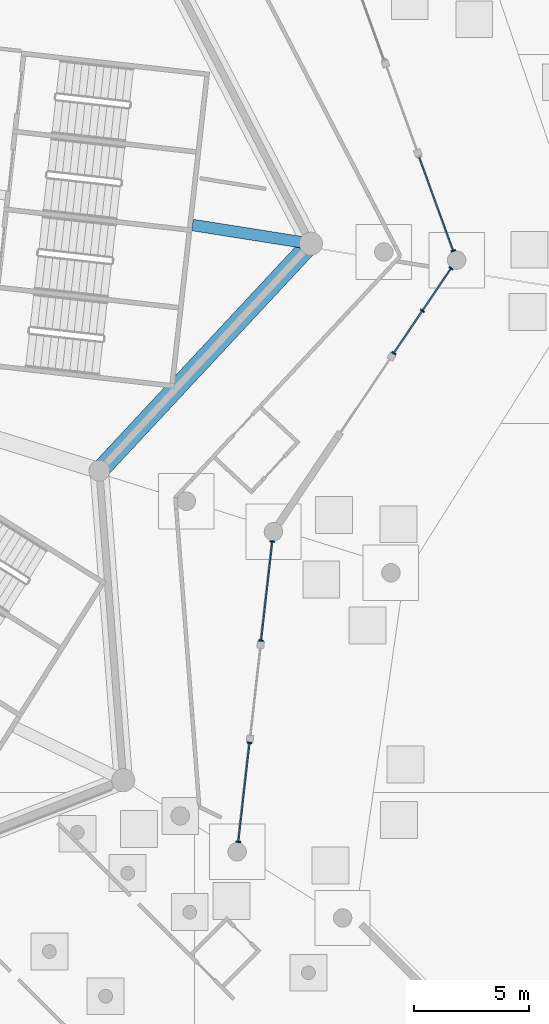
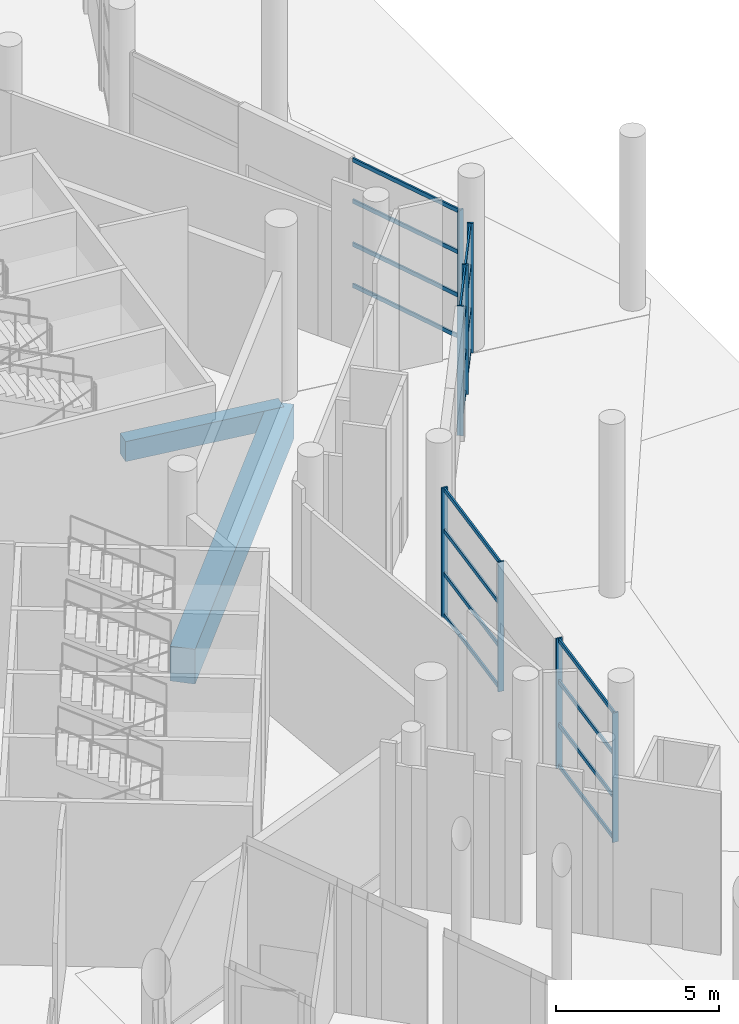
# One storey, part 37 of 255: 28 members, 2 beams, 4 elements without a shape of their own.
"""IFC4 building model written with IfcOpenShell, lengths in metres."""

from ifc_helpers import new_model, si_unit, direction, frame, origin, origin_2d, place, context, subcontext, project, spatial, rectangle, extrude, material, layer, layer_set, material_profile, profile_set, type_object, element, aggregate, save


model = new_model("IFC4")

# Units and contexts
model_context = context("Model", 3, precision=1e-05, world=origin(), true_north=direction((0.0, 1.0)))
body_context = subcontext(model_context, "Body", "Model", "MODEL_VIEW")
ifc_project = project(units=[si_unit("LENGTHUNIT", "METRE"), si_unit("AREAUNIT", "SQUARE_METRE"), si_unit("VOLUMEUNIT", "CUBIC_METRE"), si_unit("PLANEANGLEUNIT", "RADIAN"), si_unit("MASSUNIT", "GRAM", prefix="KILO")], contexts=[model_context])

# Site, building, storey
site_placement = place(None, origin())
site = spatial("IfcSite", under=ifc_project, at=site_placement, CompositionType="ELEMENT")
building_placement = place(site_placement, origin())
building = spatial("IfcBuilding", under=site, at=building_placement, Name="Meseta Stadium", CompositionType="ELEMENT")
storey_placement = place(building_placement, origin())
storey = spatial("IfcBuildingStorey", under=building, at=storey_placement, Name="L00", CompositionType="ELEMENT", Elevation=0.0)

# Beams
ifc_material_1 = material(Name="Concrete C40/50", Category="concrete")
ifc_material_profile_1 = material_profile(ifc_material_1, rectangle(XDim=0.5, YDim=0.75, at=origin_2d()), Name="RC 500x750")
ifc_profile_set_1 = profile_set([ifc_material_profile_1], Name="Concrete C40/50")
beam_type_1 = type_object("IfcBeamType", Name="RC beam 500x750", PredefinedType="BEAM", material=ifc_profile_set_1)
beam_1_placement = place(storey_placement, frame((95.910400390625, -55.390380859375, -0.77490234375), z_axis=(0.987742039994, -0.156095042932, 0.0), x_axis=(0.156095042932, 0.987742039994, 0.0)))
element("IfcBeam", 1, at=beam_1_placement, inside=storey, type_object=beam_type_1, Name="L00 radial beam frame 0 line P to R", PredefinedType="BEAM", context=body_context, shape_type="SweptSolid", body=[
    extrude(rectangle(XDim=0.5, YDim=0.75, at=origin_2d()), origin(), (0.0, 0.0, 1.0), 5.205078125),
])
ifc_material_2 = material(Name="Concrete C40/50", Category="concrete")
ifc_material_profile_2 = material_profile(ifc_material_2, rectangle(XDim=0.800048828125, YDim=1.300048828125, at=origin_2d()), Name="RC 800x1300")
ifc_profile_set_2 = profile_set([ifc_material_profile_2], Name="Concrete C40/50")
beam_type_2 = type_object("IfcBeamType", Name="RC beam 800x1300", PredefinedType="BEAM", material=ifc_profile_set_2)
beam_2_placement = place(storey_placement, frame((91.872802734375, -66.051513671875, -1.050048828125), z_axis=(0.681797952889, 0.73154053301, 0.0), x_axis=(-0.73154053301, 0.681797952889, 0.0)))
element("IfcBeam", 2, at=beam_2_placement, inside=storey, type_object=beam_type_2, Name="L00 ring beam frame 55 line R", PredefinedType="BEAM", context=body_context, shape_type="SweptSolid", body=[
    extrude(rectangle(XDim=0.800048828125, YDim=1.300048828125, at=origin_2d()), origin(), (0.0, 0.0, 1.0), 13.462890625),
])

# Curtain wall, members
ifc_material_3 = material(Name="Aluminium", Category="aluminium")
ifc_layer = layer(ifc_material_3, 0.199951171875)
ifc_layer_set = layer_set([ifc_layer], Name="Ring shopfront curtain wall")
curtain_wall_type = type_object("IfcCurtainWallType", Name="Ring shopfront curtain wall", PredefinedType="NOTDEFINED", material=ifc_layer_set)
curtain_wall_1_placement = place(storey_placement, origin())
curtain_wall_1 = element("IfcCurtainWall", 3, at=curtain_wall_1_placement, inside=storey, type_object=curtain_wall_type, Name="Shopfront glazing F54a", PredefinedType="NOTDEFINED")
ifc_material_4 = material(Name="Aluminium", Category="aluminium")
ifc_material_profile_3 = material_profile(ifc_material_4, rectangle(XDim=0.199951171875, YDim=0.06005859375, at=origin_2d()), Name="CW 200x60")
ifc_profile_set_3 = profile_set([ifc_material_profile_3], Name="Aluminium")
member_type_1 = type_object("IfcMemberType", Name="Ring CW mullion 60x200", PredefinedType="MULLION", material=ifc_profile_set_3)
member_1_placement = place(storey_placement, frame((97.900390625, -82.1533203125, 0.0), z_axis=(0.0, 0.0, 1.0), x_axis=(-0.993654842707, 0.112472456913, 0.0)))
member_1 = element("IfcMember", 4, at=member_1_placement, type_object=member_type_1, Name="CWR1 mullion 1", PredefinedType="MULLION", context=body_context, shape_type="SweptSolid", body=[
    extrude(rectangle(XDim=0.199951171875, YDim=0.06005859375, at=origin_2d()), origin(), (0.0, 0.0, 1.0), 4.85009765625),
])
member_2_placement = place(storey_placement, frame((98.386962890625, -77.85302734375, 0.0), z_axis=(0.0, 0.0, 1.0), x_axis=(-0.993654842707, 0.112472456913, 0.0)))
member_2 = element("IfcMember", 5, at=member_2_placement, type_object=member_type_1, Name="CWR1 mullion 2", PredefinedType="MULLION", context=body_context, shape_type="SweptSolid", body=[
    extrude(rectangle(XDim=0.199951171875, YDim=0.06005859375, at=origin_2d()), origin(), (0.0, 0.0, 1.0), 4.85009765625),
])

curtain_wall_2_placement = place(storey_placement, origin())
curtain_wall_2 = element("IfcCurtainWall", 6, at=curtain_wall_2_placement, inside=storey, type_object=curtain_wall_type, Name="Shopfront glazing F54b", PredefinedType="NOTDEFINED")
member_3_placement = place(storey_placement, frame((98.888671875, -73.42138671875, 0.0), z_axis=(0.0, 0.0, 1.0), x_axis=(-0.993654842707, 0.112472456913, 0.0)))
member_3 = element("IfcMember", 7, at=member_3_placement, type_object=member_type_1, Name="CWR1 mullion 1", PredefinedType="MULLION", context=body_context, shape_type="SweptSolid", body=[
    extrude(rectangle(XDim=0.199951171875, YDim=0.06005859375, at=origin_2d()), origin(), (0.0, 0.0, 1.0), 4.85009765625),
])
member_4_placement = place(storey_placement, frame((99.37548828125, -69.12109375, 0.0), z_axis=(0.0, 0.0, 1.0), x_axis=(-0.993654842707, 0.112472456913, 0.0)))
member_4 = element("IfcMember", 8, at=member_4_placement, type_object=member_type_1, Name="CWR1 mullion 2", PredefinedType="MULLION", context=body_context, shape_type="SweptSolid", body=[
    extrude(rectangle(XDim=0.199951171875, YDim=0.06005859375, at=origin_2d()), origin(), (0.0, 0.0, 1.0), 4.85009765625),
])

curtain_wall_3_placement = place(storey_placement, origin())
curtain_wall_3 = element("IfcCurtainWall", 9, at=curtain_wall_3_placement, inside=storey, type_object=curtain_wall_type, Name="Shopfront glazing F55b", PredefinedType="NOTDEFINED")
member_5_placement = place(storey_placement, frame((104.6455078125, -60.955810546875, 0.0), z_axis=(0.0, 0.0, 1.0), x_axis=(-0.828919178909, 0.559368389201, 0.0)))
member_5 = element("IfcMember", 10, at=member_5_placement, type_object=member_type_1, Name="CWR1 mullion 1", PredefinedType="MULLION", context=body_context, shape_type="SweptSolid", body=[
    extrude(rectangle(XDim=0.199951171875, YDim=0.06005859375, at=origin_2d()), origin(), (0.0, 0.0, 1.0), 4.85009765625),
])
member_6_placement = place(storey_placement, frame((105.888671875, -59.11376953125, 0.0), z_axis=(0.0, 0.0, 1.0), x_axis=(-0.828919178909, 0.559368389201, 0.0)))
member_6 = element("IfcMember", 11, at=member_6_placement, type_object=member_type_1, Name="CWR1 mullion 2", PredefinedType="MULLION", context=body_context, shape_type="SweptSolid", body=[
    extrude(rectangle(XDim=0.199951171875, YDim=0.06005859375, at=origin_2d()), origin(), (0.0, 0.0, 1.0), 4.85009765625),
])
member_7_placement = place(storey_placement, frame((107.1318359375, -57.271484375, 0.0), z_axis=(0.0, 0.0, 1.0), x_axis=(-0.828919178909, 0.559368389201, 0.0)))
member_7 = element("IfcMember", 12, at=member_7_placement, type_object=member_type_1, Name="CWR1 mullion 3", PredefinedType="MULLION", context=body_context, shape_type="SweptSolid", body=[
    extrude(rectangle(XDim=0.199951171875, YDim=0.06005859375, at=origin_2d()), origin(), (0.0, 0.0, 1.0), 4.85009765625),
])

# Curtain wall, member
curtain_wall_4_placement = place(storey_placement, origin())
curtain_wall_4 = element("IfcCurtainWall", 13, at=curtain_wall_4_placement, inside=storey, type_object=curtain_wall_type, Name="Shopfront glazing F00a", PredefinedType="NOTDEFINED")
member_8_placement = place(storey_placement, frame((107.225830078125, -56.5107421875, 0.0), z_axis=(0.0, 0.0, 1.0), x_axis=(-0.940135883188, -0.340799825619, 0.0)))
member_8 = element("IfcMember", 14, at=member_8_placement, type_object=member_type_1, Name="CWR1 mullion 1", PredefinedType="MULLION", context=body_context, shape_type="SweptSolid", body=[
    extrude(rectangle(XDim=0.199951171875, YDim=0.06005859375, at=origin_2d()), origin(), (0.0, 0.0, 1.0), 4.85009765625),
])

# Member
ifc_material_5 = material(Name="Aluminium", Category="aluminium")
ifc_material_profile_4 = material_profile(ifc_material_5, rectangle(XDim=0.06005859375, YDim=0.14990234375, at=origin_2d()), Name="CW 60x150")
ifc_profile_set_4 = profile_set([ifc_material_profile_4], Name="Aluminium")
member_type_2 = type_object("IfcMemberType", Name="Ring CW transom 60x150", PredefinedType="USERDEFINED", material=ifc_profile_set_4)
member_9_placement = place(storey_placement, frame((97.903564453125, -82.12353515625, 0.074951171875), z_axis=(0.112465570135, 0.993655622202, 0.0), x_axis=(-0.993655622202, 0.112465570135, 0.0)))
member_9 = element("IfcMember", 15, at=member_9_placement, type_object=member_type_2, Name="CWR1 transom 1.1", ObjectType="TRANSOM", PredefinedType="USERDEFINED", context=body_context, shape_type="SweptSolid", body=[
    extrude(rectangle(XDim=0.06005859375, YDim=0.14990234375, at=origin_2d()), origin(), (0.0, 0.0, 1.0), 4.267822265625),
])

member_10_placement = place(storey_placement, frame((97.903564453125, -82.12353515625, 1.61669921875), z_axis=(0.112465570135, 0.993655622202, 0.0), x_axis=(-0.993655622202, 0.112465570135, 0.0)))
member_10 = element("IfcMember", 16, at=member_10_placement, type_object=member_type_2, Name="CWR1 transom 1.2", ObjectType="TRANSOM", PredefinedType="USERDEFINED", context=body_context, shape_type="SweptSolid", body=[
    extrude(rectangle(XDim=0.06005859375, YDim=0.14990234375, at=origin_2d()), origin(), (0.0, 0.0, 1.0), 4.267822265625),
])

member_11_placement = place(storey_placement, frame((97.903564453125, -82.12353515625, 3.2333984375), z_axis=(0.112465570135, 0.993655622202, 0.0), x_axis=(-0.993655622202, 0.112465570135, 0.0)))
member_11 = element("IfcMember", 17, at=member_11_placement, type_object=member_type_2, Name="CWR1 transom 1.3", ObjectType="TRANSOM", PredefinedType="USERDEFINED", context=body_context, shape_type="SweptSolid", body=[
    extrude(rectangle(XDim=0.06005859375, YDim=0.14990234375, at=origin_2d()), origin(), (0.0, 0.0, 1.0), 4.267822265625),
])

member_12_placement = place(storey_placement, frame((97.903564453125, -82.12353515625, 4.77490234375), z_axis=(0.112465570135, 0.993655622202, 0.0), x_axis=(-0.993655622202, 0.112465570135, 0.0)))
member_12 = element("IfcMember", 18, at=member_12_placement, type_object=member_type_2, Name="CWR1 transom 1.4", ObjectType="TRANSOM", PredefinedType="USERDEFINED", context=body_context, shape_type="SweptSolid", body=[
    extrude(rectangle(XDim=0.06005859375, YDim=0.14990234375, at=origin_2d()), origin(), (0.0, 0.0, 1.0), 4.267822265625),
])

aggregate(curtain_wall_1, [member_1, member_2, member_9, member_10, member_11, member_12])

member_13_placement = place(storey_placement, frame((98.89208984375, -73.3916015625, 0.074951171875), z_axis=(0.112465570135, 0.993655622202, 0.0), x_axis=(-0.993655622202, 0.112465570135, 0.0)))
member_13 = element("IfcMember", 19, at=member_13_placement, type_object=member_type_2, Name="CWR1 transom 1.1", ObjectType="TRANSOM", PredefinedType="USERDEFINED", context=body_context, shape_type="SweptSolid", body=[
    extrude(rectangle(XDim=0.06005859375, YDim=0.14990234375, at=origin_2d()), origin(), (0.0, 0.0, 1.0), 4.267822265625),
])

member_14_placement = place(storey_placement, frame((98.89208984375, -73.3916015625, 1.61669921875), z_axis=(0.112465570135, 0.993655622202, 0.0), x_axis=(-0.993655622202, 0.112465570135, 0.0)))
member_14 = element("IfcMember", 20, at=member_14_placement, type_object=member_type_2, Name="CWR1 transom 1.2", ObjectType="TRANSOM", PredefinedType="USERDEFINED", context=body_context, shape_type="SweptSolid", body=[
    extrude(rectangle(XDim=0.06005859375, YDim=0.14990234375, at=origin_2d()), origin(), (0.0, 0.0, 1.0), 4.267822265625),
])

member_15_placement = place(storey_placement, frame((98.89208984375, -73.3916015625, 3.2333984375), z_axis=(0.112465570135, 0.993655622202, 0.0), x_axis=(-0.993655622202, 0.112465570135, 0.0)))
member_15 = element("IfcMember", 21, at=member_15_placement, type_object=member_type_2, Name="CWR1 transom 1.3", ObjectType="TRANSOM", PredefinedType="USERDEFINED", context=body_context, shape_type="SweptSolid", body=[
    extrude(rectangle(XDim=0.06005859375, YDim=0.14990234375, at=origin_2d()), origin(), (0.0, 0.0, 1.0), 4.267822265625),
])

member_16_placement = place(storey_placement, frame((98.89208984375, -73.3916015625, 4.77490234375), z_axis=(0.112465570135, 0.993655622202, 0.0), x_axis=(-0.993655622202, 0.112465570135, 0.0)))
member_16 = element("IfcMember", 22, at=member_16_placement, type_object=member_type_2, Name="CWR1 transom 1.4", ObjectType="TRANSOM", PredefinedType="USERDEFINED", context=body_context, shape_type="SweptSolid", body=[
    extrude(rectangle(XDim=0.06005859375, YDim=0.14990234375, at=origin_2d()), origin(), (0.0, 0.0, 1.0), 4.267822265625),
])

aggregate(curtain_wall_2, [member_3, member_4, member_13, member_14, member_15, member_16])

member_17_placement = place(storey_placement, frame((104.662353515625, -60.93115234375, 0.074951171875), z_axis=(0.559329352587, 0.828945520124, 0.0), x_axis=(-0.828945520124, 0.559329352587, 0.0)))
member_17 = element("IfcMember", 23, at=member_17_placement, type_object=member_type_2, Name="CWR1 transom 1.1", ObjectType="TRANSOM", PredefinedType="USERDEFINED", context=body_context, shape_type="SweptSolid", body=[
    extrude(rectangle(XDim=0.06005859375, YDim=0.14990234375, at=origin_2d()), origin(), (0.0, 0.0, 1.0), 2.162353515625),
])

member_18_placement = place(storey_placement, frame((104.662353515625, -60.93115234375, 1.61669921875), z_axis=(0.559329352587, 0.828945520124, 0.0), x_axis=(-0.828945520124, 0.559329352587, 0.0)))
member_18 = element("IfcMember", 24, at=member_18_placement, type_object=member_type_2, Name="CWR1 transom 1.2", ObjectType="TRANSOM", PredefinedType="USERDEFINED", context=body_context, shape_type="SweptSolid", body=[
    extrude(rectangle(XDim=0.06005859375, YDim=0.14990234375, at=origin_2d()), origin(), (0.0, 0.0, 1.0), 2.162353515625),
])

member_19_placement = place(storey_placement, frame((104.662353515625, -60.93115234375, 3.2333984375), z_axis=(0.559329352587, 0.828945520124, 0.0), x_axis=(-0.828945520124, 0.559329352587, 0.0)))
member_19 = element("IfcMember", 25, at=member_19_placement, type_object=member_type_2, Name="CWR1 transom 1.3", ObjectType="TRANSOM", PredefinedType="USERDEFINED", context=body_context, shape_type="SweptSolid", body=[
    extrude(rectangle(XDim=0.06005859375, YDim=0.14990234375, at=origin_2d()), origin(), (0.0, 0.0, 1.0), 2.162353515625),
])

member_20_placement = place(storey_placement, frame((104.662353515625, -60.93115234375, 4.77490234375), z_axis=(0.559329352587, 0.828945520124, 0.0), x_axis=(-0.828945520124, 0.559329352587, 0.0)))
member_20 = element("IfcMember", 26, at=member_20_placement, type_object=member_type_2, Name="CWR1 transom 1.4", ObjectType="TRANSOM", PredefinedType="USERDEFINED", context=body_context, shape_type="SweptSolid", body=[
    extrude(rectangle(XDim=0.06005859375, YDim=0.14990234375, at=origin_2d()), origin(), (0.0, 0.0, 1.0), 2.162353515625),
])

member_21_placement = place(storey_placement, frame((105.905517578125, -59.0888671875, 0.074951171875), z_axis=(0.559329352587, 0.828945520124, 0.0), x_axis=(-0.828945520124, 0.559329352587, 0.0)))
member_21 = element("IfcMember", 27, at=member_21_placement, type_object=member_type_2, Name="CWR1 transom 2.1", ObjectType="TRANSOM", PredefinedType="USERDEFINED", context=body_context, shape_type="SweptSolid", body=[
    extrude(rectangle(XDim=0.06005859375, YDim=0.14990234375, at=origin_2d()), origin(), (0.0, 0.0, 1.0), 2.162353515625),
])

member_22_placement = place(storey_placement, frame((105.905517578125, -59.0888671875, 1.61669921875), z_axis=(0.559329352587, 0.828945520124, 0.0), x_axis=(-0.828945520124, 0.559329352587, 0.0)))
member_22 = element("IfcMember", 28, at=member_22_placement, type_object=member_type_2, Name="CWR1 transom 2.2", ObjectType="TRANSOM", PredefinedType="USERDEFINED", context=body_context, shape_type="SweptSolid", body=[
    extrude(rectangle(XDim=0.06005859375, YDim=0.14990234375, at=origin_2d()), origin(), (0.0, 0.0, 1.0), 2.162353515625),
])

member_23_placement = place(storey_placement, frame((105.905517578125, -59.0888671875, 3.2333984375), z_axis=(0.559329352587, 0.828945520124, 0.0), x_axis=(-0.828945520124, 0.559329352587, 0.0)))
member_23 = element("IfcMember", 29, at=member_23_placement, type_object=member_type_2, Name="CWR1 transom 2.3", ObjectType="TRANSOM", PredefinedType="USERDEFINED", context=body_context, shape_type="SweptSolid", body=[
    extrude(rectangle(XDim=0.06005859375, YDim=0.14990234375, at=origin_2d()), origin(), (0.0, 0.0, 1.0), 2.162353515625),
])

member_24_placement = place(storey_placement, frame((105.905517578125, -59.0888671875, 4.77490234375), z_axis=(0.559329352587, 0.828945520124, 0.0), x_axis=(-0.828945520124, 0.559329352587, 0.0)))
member_24 = element("IfcMember", 30, at=member_24_placement, type_object=member_type_2, Name="CWR1 transom 2.4", ObjectType="TRANSOM", PredefinedType="USERDEFINED", context=body_context, shape_type="SweptSolid", body=[
    extrude(rectangle(XDim=0.06005859375, YDim=0.14990234375, at=origin_2d()), origin(), (0.0, 0.0, 1.0), 2.162353515625),
])

aggregate(curtain_wall_3, [member_5, member_6, member_7, member_17, member_18, member_19, member_20, member_21, member_22, member_23, member_24])

member_25_placement = place(storey_placement, frame((107.215576171875, -56.482666015625, 0.074951171875), z_axis=(-0.340804363301, 0.940134238263, 0.0), x_axis=(-0.940134238263, -0.340804363301, 0.0)))
member_25 = element("IfcMember", 31, at=member_25_placement, type_object=member_type_2, Name="CWR1 transom 1.1", ObjectType="TRANSOM", PredefinedType="USERDEFINED", context=body_context, shape_type="SweptSolid", body=[
    extrude(rectangle(XDim=0.06005859375, YDim=0.14990234375, at=origin_2d()), origin(), (0.0, 0.0, 1.0), 4.28173828125),
])

member_26_placement = place(storey_placement, frame((107.215576171875, -56.482666015625, 1.61669921875), z_axis=(-0.340804363301, 0.940134238263, 0.0), x_axis=(-0.940134238263, -0.340804363301, 0.0)))
member_26 = element("IfcMember", 32, at=member_26_placement, type_object=member_type_2, Name="CWR1 transom 1.2", ObjectType="TRANSOM", PredefinedType="USERDEFINED", context=body_context, shape_type="SweptSolid", body=[
    extrude(rectangle(XDim=0.06005859375, YDim=0.14990234375, at=origin_2d()), origin(), (0.0, 0.0, 1.0), 4.28173828125),
])

member_27_placement = place(storey_placement, frame((107.215576171875, -56.482666015625, 3.2333984375), z_axis=(-0.340804363301, 0.940134238263, 0.0), x_axis=(-0.940134238263, -0.340804363301, 0.0)))
member_27 = element("IfcMember", 33, at=member_27_placement, type_object=member_type_2, Name="CWR1 transom 1.3", ObjectType="TRANSOM", PredefinedType="USERDEFINED", context=body_context, shape_type="SweptSolid", body=[
    extrude(rectangle(XDim=0.06005859375, YDim=0.14990234375, at=origin_2d()), origin(), (0.0, 0.0, 1.0), 4.28173828125),
])

member_28_placement = place(storey_placement, frame((107.215576171875, -56.482666015625, 4.77490234375), z_axis=(-0.340804363301, 0.940134238263, 0.0), x_axis=(-0.940134238263, -0.340804363301, 0.0)))
member_28 = element("IfcMember", 34, at=member_28_placement, type_object=member_type_2, Name="CWR1 transom 1.4", ObjectType="TRANSOM", PredefinedType="USERDEFINED", context=body_context, shape_type="SweptSolid", body=[
    extrude(rectangle(XDim=0.06005859375, YDim=0.14990234375, at=origin_2d()), origin(), (0.0, 0.0, 1.0), 4.28173828125),
])

aggregate(curtain_wall_4, [member_8, member_25, member_26, member_27, member_28])

save(model, "model.ifc")
